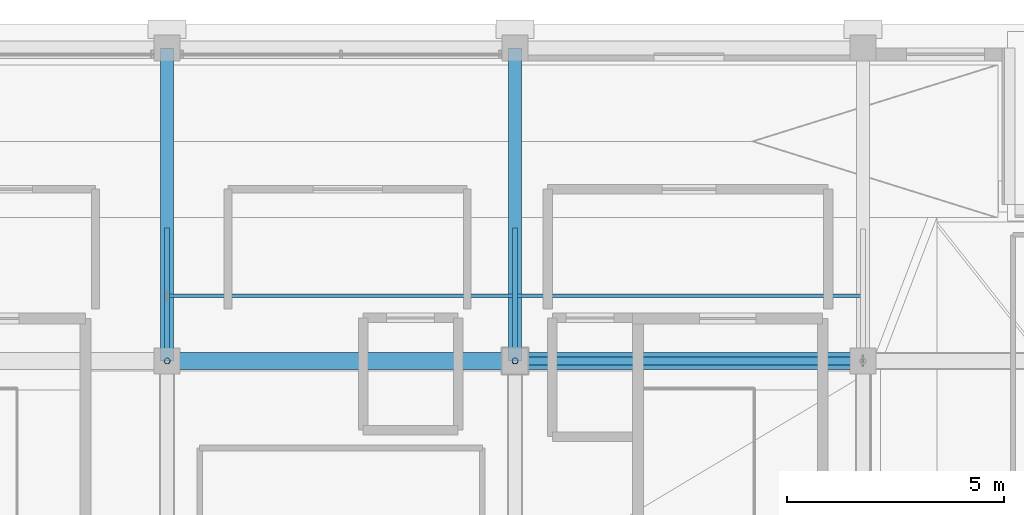
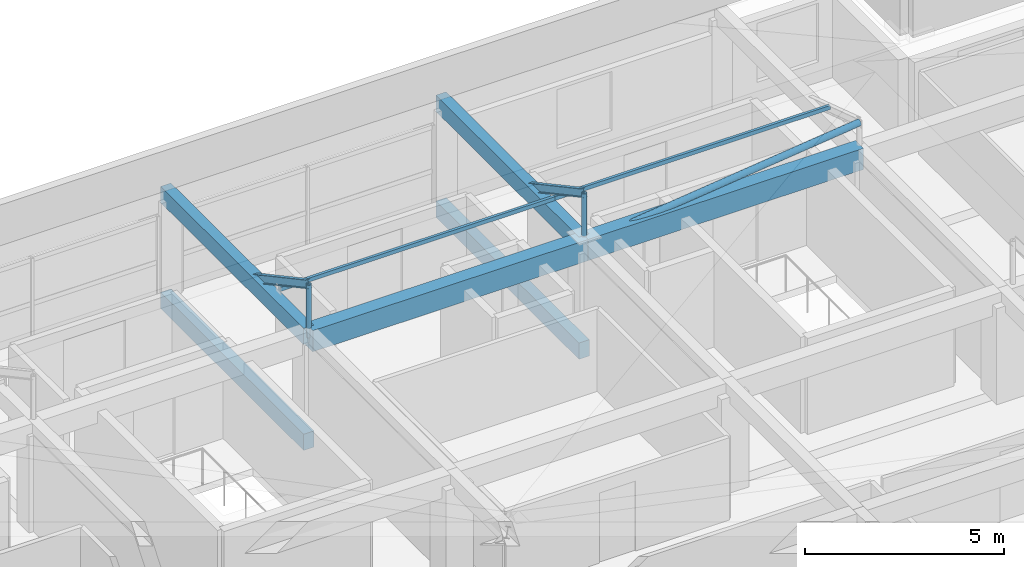
# One storey, part 17 of 39: 7 members, 6 beams.
"""IFC4 building model written with IfcOpenShell, lengths in metres."""

from ifc_helpers import new_model, si_unit, direction, frame, origin, origin_2d, place, context, subcontext, project, spatial, rectangle, hollow_rectangle, hollow_circle, i_section, extrude, material, material_profile, profile_set, type_object, element, save


model = new_model("IFC4")

# Units and contexts
model_context = context("Model", 3, precision=1e-05, world=origin(), true_north=direction((0.0, 1.0)))
body_context = subcontext(model_context, "Body", "Model", "MODEL_VIEW")
ifc_project = project(units=[si_unit("LENGTHUNIT", "METRE"), si_unit("AREAUNIT", "SQUARE_METRE"), si_unit("VOLUMEUNIT", "CUBIC_METRE"), si_unit("PLANEANGLEUNIT", "RADIAN"), si_unit("MASSUNIT", "GRAM", prefix="KILO")], contexts=[model_context])

# Site, building, storey
site_placement = place(None, origin())
site = spatial("IfcSite", under=ifc_project, at=site_placement, CompositionType="ELEMENT")
building_placement = place(site_placement, origin())
building = spatial("IfcBuilding", under=site, at=building_placement, Name="Akrevak Sports Hall", CompositionType="ELEMENT")
storey_placement = place(building_placement, frame((0.0, 0.0, 66.550048828125)))
storey = spatial("IfcBuildingStorey", under=building, at=storey_placement, Name="L17", CompositionType="ELEMENT", Elevation=66.550048828125)

# Beams
ifc_material_1 = material(Name="Concrete C40/50", Category="concrete")
ifc_material_profile_1 = material_profile(ifc_material_1, rectangle(XDim=0.300048828125, YDim=0.5, at=origin_2d()), Name="BM 300x500", Category="concrete")
ifc_profile_set_1 = profile_set([ifc_material_profile_1], Name="Concrete C40/50")
beam_type_1 = type_object("IfcBeamType", Name="STR-BM-RC300x500", PredefinedType="BEAM", material=ifc_profile_set_1)
for number, where, z_axis, x_axis, name in (
    (1, (84.0, 62.39990234375, -0.25), (0.0, 1.0, 0.0), (-1.0, 0.0, 0.0), "Girder 12/J-K (L17)"),
    (2, (92.0, 62.39990234375, -0.25), (0.0, 1.0, 0.0), (-1.0, 0.0, 0.0), "Girder 13/J-K (L17)"),
    (3, (84.0, 62.39990234375, 3.0), (0.0, 1.0, 0.0), (-1.0, 0.0, 0.0), "Girder 12/J-K (ROOF)"),
    (4, (92.0, 62.39990234375, 3.0), (0.0, 1.0, 0.0), (-1.0, 0.0, 0.0), "Girder 13/J-K (ROOF)"),
):
    element("IfcBeam", number, at=place(storey_placement, frame(where, z_axis=z_axis, x_axis=x_axis)), inside=storey, type_object=beam_type_1, Name=name, PredefinedType="BEAM", context=body_context, shape_type="SweptSolid", body=[
        extrude(rectangle(XDim=0.300048828125, YDim=0.5, at=origin_2d()), origin(), (0.0, 0.0, 1.0), 7.2001953125),
    ])
ifc_material_profile_2 = material_profile(ifc_material_1, rectangle(XDim=0.39990234375, YDim=0.64990234375, at=origin_2d()), Name="BM 400x650", Category="concrete")
ifc_profile_set_2 = profile_set([ifc_material_profile_2], Name="Concrete C40/50")
beam_type_2 = type_object("IfcBeamType", Name="STR-BM-RC400x650", PredefinedType="BEAM", material=ifc_profile_set_2)
for number, where, z_axis, x_axis, name in (
    (5, (84.0, 62.39990234375, 2.925048828125), (1.0, 0.0, 0.0), (0.0, 1.0, 0.0), "Girder J/12-13 (ROOF)"),
    (6, (92.0, 62.39990234375, 2.925048828125), (1.0, 0.0, 0.0), (0.0, 1.0, 0.0), "Girder J/13-14 (ROOF)"),
):
    element("IfcBeam", number, at=place(storey_placement, frame(where, z_axis=z_axis, x_axis=x_axis)), inside=storey, type_object=beam_type_2, Name=name, PredefinedType="BEAM", context=body_context, shape_type="SweptSolid", body=[
        extrude(rectangle(XDim=0.39990234375, YDim=0.64990234375, at=origin_2d()), origin(), (0.0, 0.0, 1.0), 8.0),
    ])

# Members
ifc_material_2 = material(Name="Steel S355", Category="steel")
ifc_material_profile_3 = material_profile(ifc_material_2, hollow_circle(Radius=0.06982421875, WallThickness=0.008056640625, at=origin_2d()), Name="CHS 139.7x8", Category="steel")
ifc_profile_set_3 = profile_set([ifc_material_profile_3], Name="Steel S355")
member_type_1 = type_object("IfcMemberType", Name="STR-MEM-BRACE-CHS139", PredefinedType="BRACE", material=ifc_profile_set_3)
for number, where, z_axis, x_axis, name in (
    (7, (84.0, 62.39990234375, 2.949951171875), (0.0, 0.0, 1.0), (1.0, 0.0, 0.0), "Mansard Knee Post MANS-E-N-84"),
    (8, (92.0, 62.39990234375, 2.949951171875), (0.0, 0.0, 1.0), (1.0, 0.0, 0.0), "Mansard Knee Post MANS-E-N-92"),
):
    element("IfcMember", number, at=place(storey_placement, frame(where, z_axis=z_axis, x_axis=x_axis)), inside=storey, type_object=member_type_1, Name=name, PredefinedType="BRACE", context=body_context, shape_type="SweptSolid", body=[
        extrude(hollow_circle(Radius=0.06982421875, WallThickness=0.008056640625, at=origin_2d()), origin(), (0.0, 0.0, 1.0), 1.6201171875),
    ])
ifc_material_profile_4 = material_profile(ifc_material_2, hollow_circle(Radius=0.096923828125, WallThickness=0.010009765625, at=origin_2d()), Name="CHS 193.7x10", Category="steel")
ifc_profile_set_4 = profile_set([ifc_material_profile_4], Name="Steel S355")
member_type_2 = type_object("IfcMemberType", Name="STR-MEM-BRACE-CHS193", PredefinedType="BRACE", material=ifc_profile_set_4)
member_placement = place(storey_placement, frame((92.0, 62.39990234375, 3.0), z_axis=(0.993311666207, 0.0, 0.115463993426), x_axis=(0.0, 1.0, 0.0)))
element("IfcMember", 9, at=member_placement, inside=storey, type_object=member_type_2, Name="Mansard Roof Lateral Brace MBRC-EN-1", PredefinedType="BRACE", context=body_context, shape_type="SweptSolid", body=[
    extrude(hollow_circle(Radius=0.096923828125, WallThickness=0.010009765625, at=origin_2d()), origin(), (0.0, 0.0, 1.0), 8.053955078125),
])
ifc_material_profile_5 = material_profile(ifc_material_2, hollow_rectangle(XDim=0.080078125, YDim=0.1201171875, WallThickness=0.00634765625, at=origin_2d()), Name="RHS 120x80x6.3", Category="steel")
ifc_profile_set_5 = profile_set([ifc_material_profile_5], Name="Steel S355")
member_type_3 = type_object("IfcMemberType", Name="STR-MEM-PUR-RHS120", PredefinedType="PURLIN", material=ifc_profile_set_5)
for number, where, z_axis, x_axis, name in (
    (10, (84.0, 63.89990234375, 3.5), (1.0, 0.0, 0.0), (0.0, 1.0, 0.0), "Mansard Steel Purlin MANS-E-N-A"),
    (11, (92.0, 63.89990234375, 3.5), (1.0, 0.0, 0.0), (0.0, 1.0, 0.0), "Mansard Steel Purlin MANS-E-N-B"),
):
    element("IfcMember", number, at=place(storey_placement, frame(where, z_axis=z_axis, x_axis=x_axis)), inside=storey, type_object=member_type_3, Name=name, PredefinedType="PURLIN", context=body_context, shape_type="SweptSolid", body=[
        extrude(hollow_rectangle(XDim=0.080078125, YDim=0.1201171875, WallThickness=0.00634765625, at=origin_2d()), origin(), (0.0, 0.0, 1.0), 8.0),
    ])
ifc_material_profile_6 = material_profile(ifc_material_2, i_section(OverallWidth=0.1201171875, OverallDepth=0.239990234375, WebThickness=0.006103515625, FlangeThickness=0.009765625, FilletRadius=0.014892578125, at=origin_2d()), Name="IPE 240", Category="steel")
ifc_profile_set_6 = profile_set([ifc_material_profile_6], Name="Steel S355")
member_type_4 = type_object("IfcMemberType", Name="STR-MEM-RAF-IPE240", PredefinedType="RAFTER", material=ifc_profile_set_6)
for number, where, z_axis, x_axis, name in (
    (12, (84.0, 65.39990234375, 2.949951171875), (0.0, -0.879891027325, 0.475175525499), (1.0, 0.0, 0.0), "Mansard Steel Rafter MANS-E-N-84"),
    (13, (92.0, 65.39990234375, 2.949951171875), (0.0, -0.879891027325, 0.475175525499), (1.0, 0.0, 0.0), "Mansard Steel Rafter MANS-E-N-92"),
):
    element("IfcMember", number, at=place(storey_placement, frame(where, z_axis=z_axis, x_axis=x_axis)), inside=storey, type_object=member_type_4, Name=name, PredefinedType="RAFTER", context=body_context, shape_type="SweptSolid", body=[
        extrude(i_section(OverallWidth=0.1201171875, OverallDepth=0.239990234375, WebThickness=0.006103515625, FlangeThickness=0.009765625, FilletRadius=0.014892578125, at=origin_2d()), origin(), (0.0, 0.0, 1.0), 3.409423828125),
    ])

save(model, "model.ifc")
